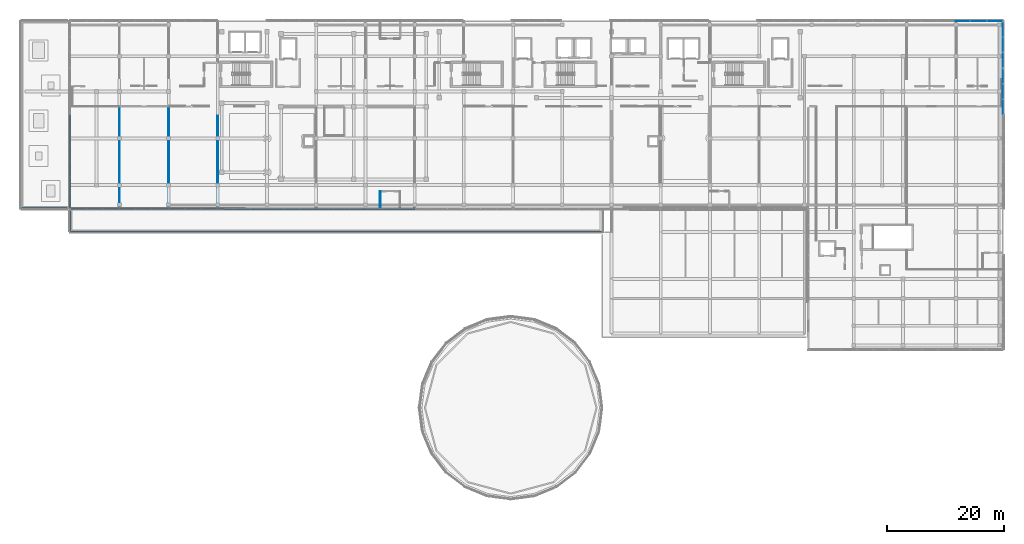
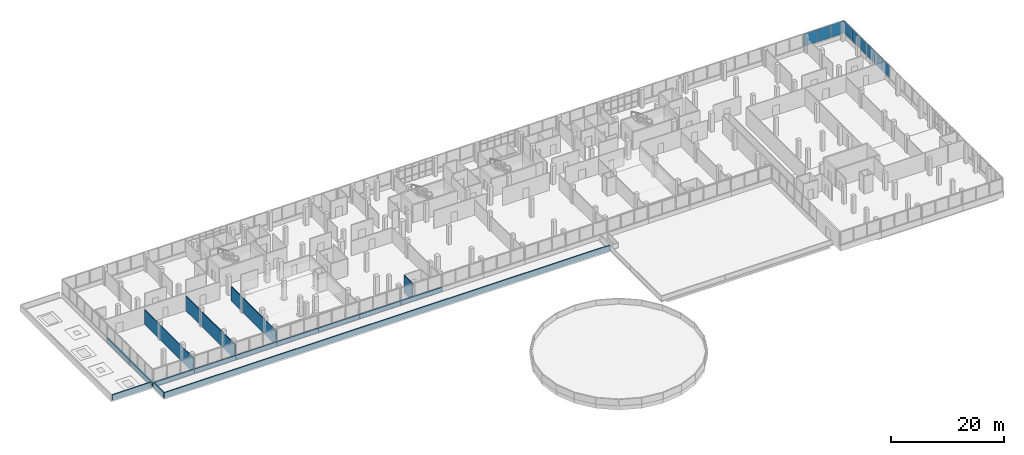
# One storey, part 64 of 78: 16 walls, 9 plates, 3 elements without a shape of their own.
"""IFC4 building model written with IfcOpenShell, lengths in metres."""

from ifc_helpers import new_model, si_unit, direction, frame, frame_2d, origin, origin_2d, place, context, subcontext, project, spatial, rectangle, extrude, material, layer, layer_set, type_object, element, aggregate, save


model = new_model("IFC4")

# Units and contexts
model_context = context("Model", 3, precision=1e-05, world=origin(), true_north=direction((0.0, 1.0)))
body_context = subcontext(model_context, "Body", "Model", "MODEL_VIEW")
ifc_project = project(units=[si_unit("LENGTHUNIT", "METRE"), si_unit("AREAUNIT", "SQUARE_METRE"), si_unit("VOLUMEUNIT", "CUBIC_METRE"), si_unit("PLANEANGLEUNIT", "RADIAN"), si_unit("MASSUNIT", "GRAM", prefix="KILO")], contexts=[model_context])

# Site, building, storey
site_placement = place(None, origin())
site = spatial("IfcSite", under=ifc_project, at=site_placement, CompositionType="ELEMENT")
building_placement = place(site_placement, origin())
building = spatial("IfcBuilding", under=site, at=building_placement, Name="Selatvlak General Hospital", CompositionType="ELEMENT")
storey_placement = place(building_placement, frame((0.0, 0.0, 23.25)))
storey = spatial("IfcBuildingStorey", under=building, at=storey_placement, Name="L05", CompositionType="ELEMENT", Elevation=23.25)

# Curtain wall, plates
ifc_material_1 = material(Name="Solar-control Low-E double glazing", Category="glass")
curtain_wall_type_1 = type_object("IfcCurtainWallType", Name="CW-CW-01", PredefinedType="USERDEFINED", material=ifc_material_1)
curtain_wall_1_placement = place(storey_placement, origin())
curtain_wall_1 = element("IfcCurtainWall", 1, at=curtain_wall_1_placement, inside=storey, type_object=curtain_wall_type_1, Name="Glazed facade curtain wall CW-L05-0565", ObjectType="UNITISED CURTAIN WALL", PredefinedType="USERDEFINED")
ifc_layer_1 = layer(ifc_material_1, 0.028076171875, Name="Solar-control Low-E double glazing", Category="glass")
ifc_layer_set_1 = layer_set([ifc_layer_1], Name="Solar-control Low-E double glazing")
plate_type = type_object("IfcPlateType", Name="CWP-01", PredefinedType="CURTAIN_PANEL", material=ifc_layer_set_1)
plate_1_placement = place(storey_placement, frame((175.08447265625, 120.0, 1.0048828125), z_axis=(0.0, 0.0, 1.0), x_axis=(1.0, 0.0, 0.0)))
plate_1 = element("IfcPlate", 2, at=plate_1_placement, type_object=plate_type, Name="CW-01 panel 1.1", PredefinedType="CURTAIN_PANEL", context=body_context, shape_type="SweptSolid", body=[
    extrude(rectangle(XDim=2.6689453125, YDim=0.028076171875, at=origin_2d()), origin(), (0.0, 0.0, 1.0), 2.705078125),
])
plate_2_placement = place(storey_placement, frame((177.83447265625, 120.0, 1.0048828125), z_axis=(0.0, 0.0, 1.0), x_axis=(1.0, 0.0, 0.0)))
plate_2 = element("IfcPlate", 3, at=plate_2_placement, type_object=plate_type, Name="CW-01 panel 2.1", PredefinedType="CURTAIN_PANEL", context=body_context, shape_type="SweptSolid", body=[
    extrude(rectangle(XDim=2.701416015625, YDim=0.028076171875, at=origin_2d()), origin(), (0.0, 0.0, 1.0), 2.705078125),
])
plate_3_placement = place(storey_placement, frame((180.58447265625, 120.0, 1.0048828125), z_axis=(0.0, 0.0, 1.0), x_axis=(1.0, 0.0, 0.0)))
plate_3 = element("IfcPlate", 4, at=plate_3_placement, type_object=plate_type, Name="CW-01 panel 3.1", PredefinedType="CURTAIN_PANEL", context=body_context, shape_type="SweptSolid", body=[
    extrude(rectangle(XDim=2.6689453125, YDim=0.028076171875, at=origin_2d()), origin(), (0.0, 0.0, 1.0), 2.705078125),
])
aggregate(curtain_wall_1, [plate_1, plate_2, plate_3])

curtain_wall_2_placement = place(storey_placement, origin())
curtain_wall_2 = element("IfcCurtainWall", 5, at=curtain_wall_2_placement, inside=storey, type_object=curtain_wall_type_1, Name="Glazed facade curtain wall CW-L05-0566", ObjectType="UNITISED CURTAIN WALL", PredefinedType="USERDEFINED")
plate_4_placement = place(storey_placement, frame((181.9990234375, 118.5986328125, 1.0048828125), z_axis=(0.0, 0.0, 1.0), x_axis=(0.0, -1.0, 0.0)))
plate_4 = element("IfcPlate", 6, at=plate_4_placement, type_object=plate_type, Name="CW-01 panel 1.1", PredefinedType="CURTAIN_PANEL", context=body_context, shape_type="SweptSolid", body=[
    extrude(rectangle(XDim=2.54248046875, YDim=0.028076171875, at=origin_2d()), origin(), (0.0, 0.0, 1.0), 2.705078125),
])
plate_5_placement = place(storey_placement, frame((181.9990234375, 115.97509765625, 1.0048828125), z_axis=(0.0, 0.0, 1.0), x_axis=(0.0, -1.0, 0.0)))
plate_5 = element("IfcPlate", 7, at=plate_5_placement, type_object=plate_type, Name="CW-01 panel 2.1", PredefinedType="CURTAIN_PANEL", context=body_context, shape_type="SweptSolid", body=[
    extrude(rectangle(XDim=2.574951171875, YDim=0.028076171875, at=origin_2d()), origin(), (0.0, 0.0, 1.0), 2.705078125),
])
plate_6_placement = place(storey_placement, frame((181.9990234375, 113.351318359375, 1.0048828125), z_axis=(0.0, 0.0, 1.0), x_axis=(0.0, -1.0, 0.0)))
plate_6 = element("IfcPlate", 8, at=plate_6_placement, type_object=plate_type, Name="CW-01 panel 3.1", PredefinedType="CURTAIN_PANEL", context=body_context, shape_type="SweptSolid", body=[
    extrude(rectangle(XDim=2.54248046875, YDim=0.028076171875, at=origin_2d()), origin(), (0.0, 0.0, 1.0), 2.705078125),
])
aggregate(curtain_wall_2, [plate_4, plate_5, plate_6])

curtain_wall_type_2 = type_object("IfcCurtainWallType", Name="CW-CW-02", PredefinedType="USERDEFINED", material=ifc_material_1)
curtain_wall_3_placement = place(storey_placement, origin())
curtain_wall_3 = element("IfcCurtainWall", 9, at=curtain_wall_3_placement, inside=storey, type_object=curtain_wall_type_2, Name="Glazed facade curtain wall CW-L05-0567", ObjectType="UNITISED CURTAIN WALL", PredefinedType="USERDEFINED")
plate_7_placement = place(storey_placement, frame((181.999267578125, 110.598876953125, 1.0048828125), z_axis=(0.0, 0.0, 1.0), x_axis=(0.000126278568, -0.999999992027, 0.0)))
plate_7 = element("IfcPlate", 10, at=plate_7_placement, type_object=plate_type, Name="CW-02 panel 1.1", PredefinedType="CURTAIN_PANEL", context=body_context, shape_type="SweptSolid", body=[
    extrude(rectangle(XDim=2.542236328125, YDim=0.028076171875, at=origin_2d()), origin(), (0.0, 0.0, 1.0), 2.705078125),
])
plate_8_placement = place(storey_placement, frame((181.99951171875, 107.9755859375, 1.0048828125), z_axis=(0.0, 0.0, 1.0), x_axis=(0.000126278568, -0.999999992027, 0.0)))
plate_8 = element("IfcPlate", 11, at=plate_8_placement, type_object=plate_type, Name="CW-02 panel 2.1", PredefinedType="CURTAIN_PANEL", context=body_context, shape_type="SweptSolid", body=[
    extrude(rectangle(XDim=2.57470703125, YDim=0.028076171875, at=origin_2d()), origin(), (0.0, 0.0, 1.0), 2.705078125),
])
plate_9_placement = place(storey_placement, frame((181.999755859375, 105.35205078125, 1.0048828125), z_axis=(0.0, 0.0, 1.0), x_axis=(0.000126278568, -0.999999992027, 0.0)))
plate_9 = element("IfcPlate", 12, at=plate_9_placement, type_object=plate_type, Name="CW-02 panel 3.1", PredefinedType="CURTAIN_PANEL", context=body_context, shape_type="SweptSolid", body=[
    extrude(rectangle(XDim=2.542236328125, YDim=0.028076171875, at=origin_2d()), origin(), (0.0, 0.0, 1.0), 2.705078125),
])
aggregate(curtain_wall_3, [plate_7, plate_8, plate_9])

# Walls
ifc_material_2 = material(Name="Precast concrete C40/50 - white Bauhaus spandrel", Category="concrete")
ifc_layer_2 = layer(ifc_material_2, 0.280029296875, Name="Precast concrete C40/50 - white Bauhaus spandrel", Category="concrete")
ifc_layer_set_2 = layer_set([ifc_layer_2], Name="Precast concrete C40/50 - white Bauhaus spandrel")
wall_type_1 = type_object("IfcWallType", Name="WALL-EW-02", PredefinedType="SOLIDWALL", material=ifc_layer_set_2)
wall_1_placement = place(storey_placement, frame((22.800048828125, 88.139892578125, 0.0), z_axis=(0.0, 0.0, 1.0), x_axis=(0.0, 1.0, 0.0)))
element("IfcWall", 13, at=wall_1_placement, inside=storey, type_object=wall_type_1, Name="L05 Bauhaus spandrel sill wall 0476", PredefinedType="SOLIDWALL", context=body_context, shape_type="SweptSolid", body=[
    extrude(rectangle(XDim=7.858154296875, YDim=0.280029296875, at=frame_2d((3.92919921875, 0.0))), origin(), (0.0, 0.0, 1.0), 0.93994140625),
])
wall_2_placement = place(storey_placement, frame((22.800048828125, 96.001953125, 0.0), z_axis=(0.0, 0.0, 1.0), x_axis=(0.0, 1.0, 0.0)))
element("IfcWall", 14, at=wall_2_placement, inside=storey, type_object=wall_type_1, Name="L05 Bauhaus spandrel sill wall 0477", PredefinedType="SOLIDWALL", context=body_context, shape_type="SweptSolid", body=[
    extrude(rectangle(XDim=7.9951171875, YDim=0.280029296875, at=frame_2d((3.99755859375, 0.0))), origin(), (0.0, 0.0, 1.0), 0.93994140625),
])
for number, where, z_axis, x_axis, name in (
    (15, (81.597900390625, 87.971923828125, 0.0), (0.0, 0.0, 1.0), (-0.999999877819, 0.000494329687, 0.0), "L05 Bauhaus spandrel sill wall 0516"),
    (16, (73.197998046875, 87.97607421875, 0.0), (0.0, 0.0, 1.0), (-0.999999891771, 0.000465251476, 0.0), "L05 Bauhaus spandrel sill wall 0517"),
    (17, (64.798095703125, 87.97998046875, 0.0), (0.0, 0.0, 1.0), (-0.999999891771, 0.000465251476, 0.0), "L05 Bauhaus spandrel sill wall 0518"),
    (18, (56.39794921875, 87.98388671875, 0.0), (0.0, 0.0, 1.0), (-0.999999877819, 0.000494329687, 0.0), "L05 Bauhaus spandrel sill wall 0519"),
    (19, (47.998046875, 87.988037109375, 0.0), (0.0, 0.0, 1.0), (-0.999999891771, 0.000465251476, 0.0), "L05 Bauhaus spandrel sill wall 0520"),
    (20, (39.597900390625, 87.991943359375, 0.0), (0.0, 0.0, 1.0), (-0.999999877819, 0.000494329687, 0.0), "L05 Bauhaus spandrel sill wall 0521"),
):
    element("IfcWall", number, at=place(storey_placement, frame(where, z_axis=z_axis, x_axis=x_axis)), inside=storey, type_object=wall_type_1, Name=name, PredefinedType="SOLIDWALL", context=body_context, shape_type="SweptSolid", body=[
        extrude(rectangle(XDim=8.39599609375, YDim=0.280029296875, at=frame_2d((4.197998046875, 0.0))), origin(), (0.0, 0.0, 1.0), 0.93994140625),
    ])
wall_3_placement = place(storey_placement, frame((31.197998046875, 87.99609375, 0.0), z_axis=(0.0, 0.0, 1.0), x_axis=(-0.999999888125, 0.000473022859, 0.0)))
element("IfcWall", 21, at=wall_3_placement, inside=storey, type_object=wall_type_1, Name="L05 Bauhaus spandrel sill wall 0522", PredefinedType="SOLIDWALL", context=body_context, shape_type="SweptSolid", body=[
    extrude(rectangle(XDim=8.258056640625, YDim=0.280029296875, at=frame_2d((4.12890625, 0.0))), origin(), (0.0, 0.0, 1.0), 0.93994140625),
])
ifc_material_3 = material(Name="Precast concrete C40/50 - white fair-faced", Category="concrete")
ifc_layer_3 = layer(ifc_material_3, 0.199951171875, Name="Precast concrete C40/50 - white fair-faced", Category="concrete")
ifc_layer_set_3 = layer_set([ifc_layer_3], Name="Precast concrete C40/50 - white fair-faced")
wall_type_2 = type_object("IfcWallType", Name="WALL-PR-01", PredefinedType="PARAPET", material=ifc_layer_set_3)
wall_4_placement = place(storey_placement, frame((22.800048828125, 84.117919921875, 0.050048828125), z_axis=(0.0, 0.0, 1.0), x_axis=(0.0, 1.0, 0.0)))
element("IfcWall", 22, at=wall_4_placement, inside=storey, type_object=wall_type_2, Name="L05 roof parapet upstand PAR-L05-039", PredefinedType="PARAPET", context=body_context, shape_type="SweptSolid", body=[
    extrude(rectangle(XDim=3.423095703125, YDim=0.199951171875, at=frame_2d((1.71142578125, 0.0))), origin(), (0.0, 0.0, 1.0), 1.14990234375),
])
ifc_layer_4 = layer(ifc_material_3, 0.219970703125, Name="Precast concrete C40/50 - white fair-faced", Category="concrete")
ifc_layer_set_4 = layer_set([ifc_layer_4], Name="Precast concrete C40/50 - white fair-faced")
wall_type_3 = type_object("IfcWallType", Name="WALL-PR-02", PredefinedType="PARAPET", material=ifc_layer_set_4)
wall_5_placement = place(storey_placement, frame((22.341064453125, 88.0, 0.050048828125), z_axis=(0.0, 0.0, 1.0), x_axis=(-1.0, 0.0, 0.0)))
element("IfcWall", 23, at=wall_5_placement, inside=storey, type_object=wall_type_3, Name="L05 roof parapet upstand PAR-L05-036", PredefinedType="PARAPET", context=body_context, shape_type="SweptSolid", body=[
    extrude(rectangle(XDim=7.822998046875, YDim=0.219970703125, at=frame_2d((3.91162109375, 0.0))), origin(), (0.0, 0.0, 1.0), 1.14990234375),
])
wall_6_placement = place(storey_placement, frame((113.487060546875, 84.0, 0.050048828125), z_axis=(0.0, 0.0, 1.0), x_axis=(-1.0, 0.0, 0.0)))
element("IfcWall", 24, at=wall_6_placement, inside=storey, type_object=wall_type_3, Name="L05 roof parapet upstand PAR-L05-038", PredefinedType="PARAPET", context=body_context, shape_type="SweptSolid", body=[
    extrude(rectangle(XDim=90.68701171875, YDim=0.219970703125, at=frame_2d((45.343505859375, 0.0))), origin(), (0.0, 0.0, 1.0), 1.14990234375),
])
ifc_material_4 = material(Name="Acoustic gypsum stud partition")
ifc_layer_5 = layer(ifc_material_4, 0.1650390625, Name="Acoustic gypsum stud partition")
ifc_layer_set_5 = layer_set([ifc_layer_5], Name="Acoustic gypsum stud partition")
wall_type_4 = type_object("IfcWallType", Name="WALL-PT-02", PredefinedType="PARTITIONING", material=ifc_layer_set_5)
wall_7_placement = place(storey_placement, frame((39.60009765625, 105.35400390625, 0.0), z_axis=(0.0, 0.0, 1.0), x_axis=(0.0, -1.0, 0.0)))
element("IfcWall", 25, at=wall_7_placement, inside=storey, type_object=wall_type_4, Name="L05 clinical partition PT-L05-1861", PredefinedType="PARTITIONING", context=body_context, shape_type="SweptSolid", body=[
    extrude(rectangle(XDim=17.343994140625, YDim=0.1650390625, at=frame_2d((8.671875, 0.0))), origin(), (0.0, 0.0, 1.0), 3.175048828125),
])
wall_8_placement = place(storey_placement, frame((75.68994140625, 90.93994140625, 0.0), z_axis=(0.0, 0.0, 1.0), x_axis=(0.0, -1.0, 0.0)))
element("IfcWall", 26, at=wall_8_placement, inside=storey, type_object=wall_type_4, Name="L05 clinical partition PT-L05-1873", PredefinedType="PARTITIONING", context=body_context, shape_type="SweptSolid", body=[
    extrude(rectangle(XDim=2.9228515625, YDim=0.1650390625, at=frame_2d((1.46142578125, 0.0))), origin(), (0.0, 0.0, 1.0), 3.77490234375),
])
ifc_material_5 = material(Name="Moisture-resistant clinical partition")
ifc_layer_6 = layer(ifc_material_5, 0.135009765625, Name="Moisture-resistant clinical partition")
ifc_layer_set_6 = layer_set([ifc_layer_6], Name="Moisture-resistant clinical partition")
wall_type_5 = type_object("IfcWallType", Name="WALL-PT-04", PredefinedType="PARTITIONING", material=ifc_layer_set_6)
wall_9_placement = place(storey_placement, frame((48.0, 103.887939453125, 0.0), z_axis=(0.0, 0.0, 1.0), x_axis=(0.0, -1.0, 0.0)))
element("IfcWall", 27, at=wall_9_placement, inside=storey, type_object=wall_type_5, Name="L05 clinical partition PT-L05-1863", PredefinedType="PARTITIONING", context=body_context, shape_type="SweptSolid", body=[
    extrude(rectangle(XDim=15.8779296875, YDim=0.135009765625, at=frame_2d((7.93896484375, 0.0))), origin(), (0.0, 0.0, 1.0), 3.175048828125),
])
ifc_layer_7 = layer(ifc_material_5, 0.1201171875, Name="Moisture-resistant clinical partition")
ifc_layer_set_7 = layer_set([ifc_layer_7], Name="Moisture-resistant clinical partition")
wall_type_6 = type_object("IfcWallType", Name="WALL-PT-05", PredefinedType="PARTITIONING", material=ifc_layer_set_7)
wall_10_placement = place(storey_placement, frame((31.199951171875, 105.3759765625, 0.0), z_axis=(0.0, 0.0, 1.0), x_axis=(0.0, -1.0, 0.0)))
element("IfcWall", 28, at=wall_10_placement, inside=storey, type_object=wall_type_6, Name="L05 clinical partition PT-L05-1859", PredefinedType="PARTITIONING", context=body_context, shape_type="SweptSolid", body=[
    extrude(rectangle(XDim=17.365966796875, YDim=0.1201171875, at=frame_2d((8.68310546875, 0.0))), origin(), (0.0, 0.0, 1.0), 3.175048828125),
])

save(model, "model.ifc")
